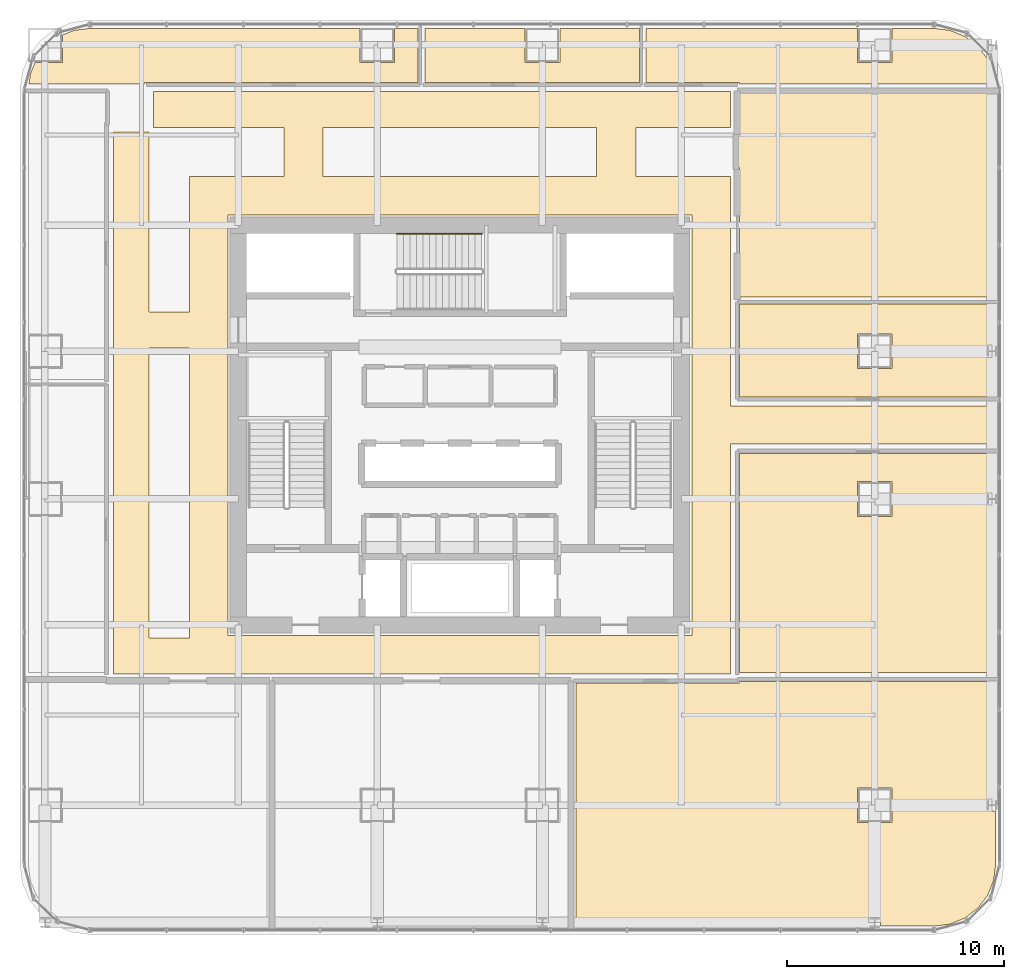
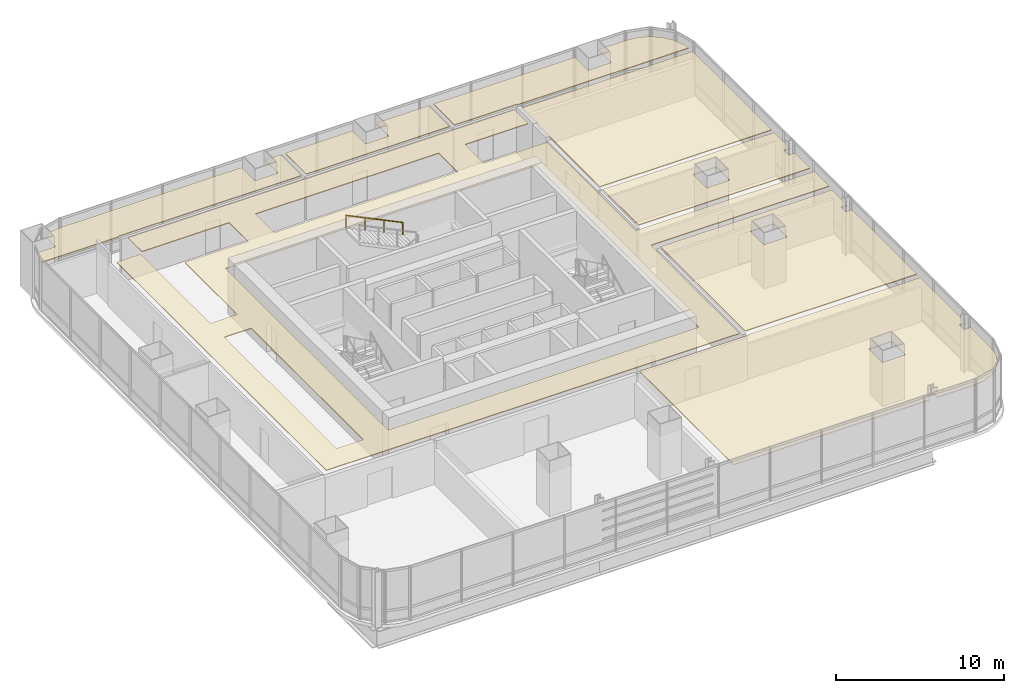
# One storey, part 34 of 34: 8 coverings, 1 railing.
"""IFC4 building model written with IfcOpenShell, lengths in metres."""

from ifc_helpers import new_model, si_unit, direction, frame, origin, origin_2d, place, context, subcontext, project, spatial, polyline, circle, outline, extrude, material, layer, layer_set, type_object, element, save


model = new_model("IFC4")

# Units and contexts
model_context = context("Model", 3, precision=1e-05, world=origin(), true_north=direction((0.0, 1.0)))
body_context = subcontext(model_context, "Body", "Model", "MODEL_VIEW")
ifc_project = project(units=[si_unit("LENGTHUNIT", "METRE"), si_unit("AREAUNIT", "SQUARE_METRE"), si_unit("VOLUMEUNIT", "CUBIC_METRE"), si_unit("PLANEANGLEUNIT", "RADIAN"), si_unit("MASSUNIT", "GRAM", prefix="KILO")], contexts=[model_context])

# Site, building, storey
site_placement = place(None, origin())
site = spatial("IfcSite", under=ifc_project, at=site_placement, CompositionType="ELEMENT")
building_placement = place(site_placement, origin())
building = spatial("IfcBuilding", under=site, at=building_placement, Name="Punatoya Terracotta Tower", CompositionType="ELEMENT")
storey_placement = place(building_placement, frame((0.0, 0.0, 80.85009765625)))
storey = spatial("IfcBuildingStorey", under=building, at=storey_placement, Name="L18", CompositionType="ELEMENT", Elevation=80.85009765625)

# Coverings
ifc_material_1 = material(Name="Acoustic Mineral Fibre Ceiling")
ifc_layer = layer(ifc_material_1, 0.06005859375)
ifc_layer_set = layer_set([ifc_layer], Name="Acoustic Mineral Fibre Ceiling")
covering_type = type_object("IfcCoveringType", Name="COV-CEIL-60", PredefinedType="CEILING", material=ifc_layer_set)
covering_1_placement = place(storey_placement, frame((0.0, 0.0, 3.199951171875)))
element("IfcCovering", 1, at=covering_1_placement, inside=storey, type_object=covering_type, Name="L18 Ring Circulation Corridor Acoustic Ceiling", PredefinedType="CEILING", context=body_context, shape_type="SweptSolid", body=[
    extrude(outline(polyline([(-14.300048828125, 5.199951171875), (-14.300048828125, 13.5), (-15.949951171875, 13.5), (-15.949951171875, -11.449951171875), (12.449951171875, -11.449951171875), (12.449951171875, -0.8798828125), (24.72998046875, -0.8798828125), (24.72998046875, 0.8798828125), (12.449951171875, 0.8798828125), (12.449951171875, 11.449951171875), (8.10009765625, 11.449951171875), (8.10009765625, 13.699951171875), (12.449951171875, 13.699951171875), (12.449951171875, 15.35009765625), (-14.10009765625, 15.35009765625), (-14.10009765625, 13.699951171875), (-8.10009765625, 13.699951171875), (-8.10009765625, 11.449951171875), (-12.449951171875, 11.449951171875), (-12.449951171875, 5.199951171875), (-14.300048828125, 5.199951171875)]), holes=[polyline([(10.679931640625, 9.679931640625), (10.679931640625, -9.679931640625), (-10.679931640625, -9.679931640625), (-10.679931640625, 9.679931640625), (10.679931640625, 9.679931640625)]), polyline([(6.300048828125, 13.699951171875), (6.300048828125, 11.449951171875), (-6.300048828125, 11.449951171875), (-6.300048828125, 13.699951171875), (6.300048828125, 13.699951171875)]), polyline([(-14.300048828125, 3.550048828125), (-12.449951171875, 3.550048828125), (-12.449951171875, -9.800048828125), (-14.300048828125, -9.800048828125), (-14.300048828125, 3.550048828125)])]), origin(), (0.0, 0.0, 1.0), 0.06005859375),
])
covering_2_placement = place(storey_placement, frame((0.0, 0.0, 3.199951171875)))
element("IfcCovering", 2, at=covering_2_placement, inside=storey, type_object=covering_type, Name="L18 Catering Tea Pantry Acoustic Ceiling", PredefinedType="CEILING", context=body_context, shape_type="SweptSolid", body=[
    extrude(outline(polyline([(12.8701171875, -11.8701171875), (5.337890625, -11.8701171875), (5.337890625, -23.070068359375), (18.842041015625, -23.070068359375), (18.842041015625, -22.626953125), (19.35791015625, -22.626953125), (19.35791015625, -23.070068359375), (21.8251953125, -23.070068359375), (22.5791015625, -22.970703125), (23.25830078125, -22.689453125), (23.841796875, -22.24169921875), (24.289306640625, -21.658203125), (24.57080078125, -20.97900390625), (24.669921875, -20.22509765625), (24.669921875, -17.77294921875), (24.241943359375, -17.77294921875), (24.241943359375, -17.22705078125), (24.669921875, -17.22705078125), (24.669921875, -11.81005859375), (12.8701171875, -11.81005859375), (12.8701171875, -11.8701171875)]), holes=[polyline([(19.89990234375, -18.300048828125), (18.300048828125, -18.300048828125), (18.300048828125, -16.699951171875), (19.89990234375, -16.699951171875), (19.89990234375, -18.300048828125)])]), origin(), (0.0, 0.0, 1.0), 0.06005859375),
])
covering_3_placement = place(storey_placement, frame((0.0, 0.0, 3.199951171875)))
element("IfcCovering", 3, at=covering_3_placement, inside=storey, type_object=covering_type, Name="L18 Open-Plan Visitor Reception Salon Acoustic Ceiling", PredefinedType="CEILING", context=body_context, shape_type="SweptSolid", body=[
    extrude(outline(polyline([(24.241943359375, -3.673095703125), (24.241943359375, -3.126953125), (24.669921875, -3.126953125), (24.669921875, -1.300048828125), (12.8701171875, -1.300048828125), (12.8701171875, -11.389892578125), (24.669921875, -11.389892578125), (24.669921875, -3.673095703125), (24.241943359375, -3.673095703125)]), holes=[polyline([(18.300048828125, -4.199951171875), (18.300048828125, -2.60009765625), (19.89990234375, -2.60009765625), (19.89990234375, -4.199951171875), (18.300048828125, -4.199951171875)])]), origin(), (0.0, 0.0, 1.0), 0.06005859375),
])
covering_4_placement = place(storey_placement, frame((0.0, 0.0, 3.199951171875)))
element("IfcCovering", 4, at=covering_4_placement, inside=storey, type_object=covering_type, Name="L18 Open-Plan Wellness Relaxation Lounge Acoustic Ceiling", PredefinedType="CEILING", context=body_context, shape_type="SweptSolid", body=[
    extrude(outline(polyline([(24.669921875, 3.673095703125), (24.669921875, 5.570068359375), (12.8701171875, 5.570068359375), (12.8701171875, 1.300048828125), (24.669921875, 1.300048828125), (24.669921875, 3.126953125), (24.241943359375, 3.126953125), (24.241943359375, 3.673095703125), (24.669921875, 3.673095703125)]), holes=[polyline([(18.300048828125, 4.199951171875), (19.89990234375, 4.199951171875), (19.89990234375, 2.60009765625), (18.300048828125, 2.60009765625), (18.300048828125, 4.199951171875)])]), origin(), (0.0, 0.0, 1.0), 0.06005859375),
])
covering_5_placement = place(storey_placement, frame((0.0, 0.0, 3.199951171875)))
element("IfcCovering", 5, at=covering_5_placement, inside=storey, type_object=covering_type, Name="L18 Waterfront Club Lounge Acoustic Ceiling", PredefinedType="CEILING", context=body_context, shape_type="SweptSolid", body=[
    extrude(outline(polyline([(12.81005859375, 11.8701171875), (12.8701171875, 11.8701171875), (12.8701171875, 5.889892578125), (24.669921875, 5.889892578125), (24.669921875, 15.2900390625), (12.8701171875, 15.2900390625), (12.8701171875, 13.280029296875), (12.81005859375, 13.280029296875), (12.81005859375, 11.8701171875)])), origin(), (0.0, 0.0, 1.0), 0.06005859375),
])
covering_6_placement = place(storey_placement, frame((0.0, 0.0, 3.199951171875)))
element("IfcCovering", 6, at=covering_6_placement, inside=storey, type_object=covering_type, Name="L18 Open-Plan Terrace Refreshment Lounge Acoustic Ceiling", PredefinedType="CEILING", context=body_context, shape_type="SweptSolid", body=[
    extrude(outline(polyline([(-14.52001953125, 15.7099609375), (-14.52001953125, 15.77001953125), (-1.927001953125, 15.77001953125), (-1.927001953125, 18.27001953125), (-3.0, 18.27001953125), (-3.0, 16.699951171875), (-4.60009765625, 16.699951171875), (-4.60009765625, 18.27001953125), (-17.025146484375, 18.27001953125), (-17.779052734375, 18.1708984375), (-18.300048828125, 17.955078125), (-18.300048828125, 16.699951171875), (-19.554931640625, 16.699951171875), (-19.770751953125, 16.178955078125), (-19.83251953125, 15.7099609375), (-14.52001953125, 15.7099609375)])), origin(), (0.0, 0.0, 1.0), 0.06005859375),
])
covering_7_placement = place(storey_placement, frame((0.0, 0.0, 3.199951171875)))
element("IfcCovering", 7, at=covering_7_placement, inside=storey, type_object=covering_type, Name="L18 Open-Plan Hospitality Hosting Lounge Acoustic Ceiling", PredefinedType="CEILING", context=body_context, shape_type="SweptSolid", body=[
    extrude(outline(polyline([(8.259033203125, 18.27001953125), (4.60009765625, 18.27001953125), (4.60009765625, 16.699951171875), (3.0, 16.699951171875), (3.0, 18.27001953125), (-1.60693359375, 18.27001953125), (-1.60693359375, 15.77001953125), (8.259033203125, 15.77001953125), (8.259033203125, 18.27001953125)])), origin(), (0.0, 0.0, 1.0), 0.06005859375),
])
covering_8_placement = place(storey_placement, frame((0.0, 0.0, 3.199951171875)))
element("IfcCovering", 8, at=covering_8_placement, inside=storey, type_object=covering_type, Name="L18 Open-Plan Client Dining Salon Acoustic Ceiling", PredefinedType="CEILING", context=body_context, shape_type="SweptSolid", body=[
    extrude(outline(polyline([(12.8701171875, 15.7099609375), (24.632568359375, 15.7099609375), (24.57080078125, 16.178955078125), (24.289306640625, 16.8583984375), (23.841796875, 17.441650390625), (23.25830078125, 17.889404296875), (22.5791015625, 18.1708984375), (21.8251953125, 18.27001953125), (19.89990234375, 18.27001953125), (19.89990234375, 16.699951171875), (18.300048828125, 16.699951171875), (18.300048828125, 18.27001953125), (8.5791015625, 18.27001953125), (8.5791015625, 15.77001953125), (12.8701171875, 15.77001953125), (12.8701171875, 15.7099609375)])), origin(), (0.0, 0.0, 1.0), 0.06005859375),
])

# Railing
ifc_material_2 = material(Name="Steel S355", Category="steel")
railing_type = type_object("IfcRailingType", Name="RLG-HND-900", PredefinedType="HANDRAIL", material=ifc_material_2)
railing_placement = place(storey_placement, frame((1.0, 8.800048828125, 2.16943359375)))
element("IfcRailing", 9, at=railing_placement, inside=storey, type_object=railing_type, Name="L18 ST-3 stair handrail 2", PredefinedType="HANDRAIL", context=body_context, shape_type="SweptSolid", body=[
    extrude(circle(Radius=0.02392578125, at=origin_2d()), frame((0.0, 0.0, 0.8759765625), z_axis=(-0.900763166376, 0.0, 0.434310623978), x_axis=(0.0, -1.0, 0.0)), (0.0, 0.0, 1.0), 4.32958984375),
    extrude(circle(Radius=0.02099609375, at=origin_2d()), origin(), (0.0, 0.0, 1.0), 0.851806640625),
    extrude(circle(Radius=0.02099609375, at=origin_2d()), frame((-1.300048828125, 0.0, 0.626708984375)), (0.0, 0.0, 1.0), 0.851806640625),
    extrude(circle(Radius=0.02099609375, at=origin_2d()), frame((-2.599853515625, 0.0, 1.253662109375)), (0.0, 0.0, 1.0), 0.851806640625),
    extrude(circle(Radius=0.02099609375, at=origin_2d()), frame((-3.89990234375, 0.0, 1.88037109375)), (0.0, 0.0, 1.0), 0.851806640625),
])

save(model, "model.ifc")
